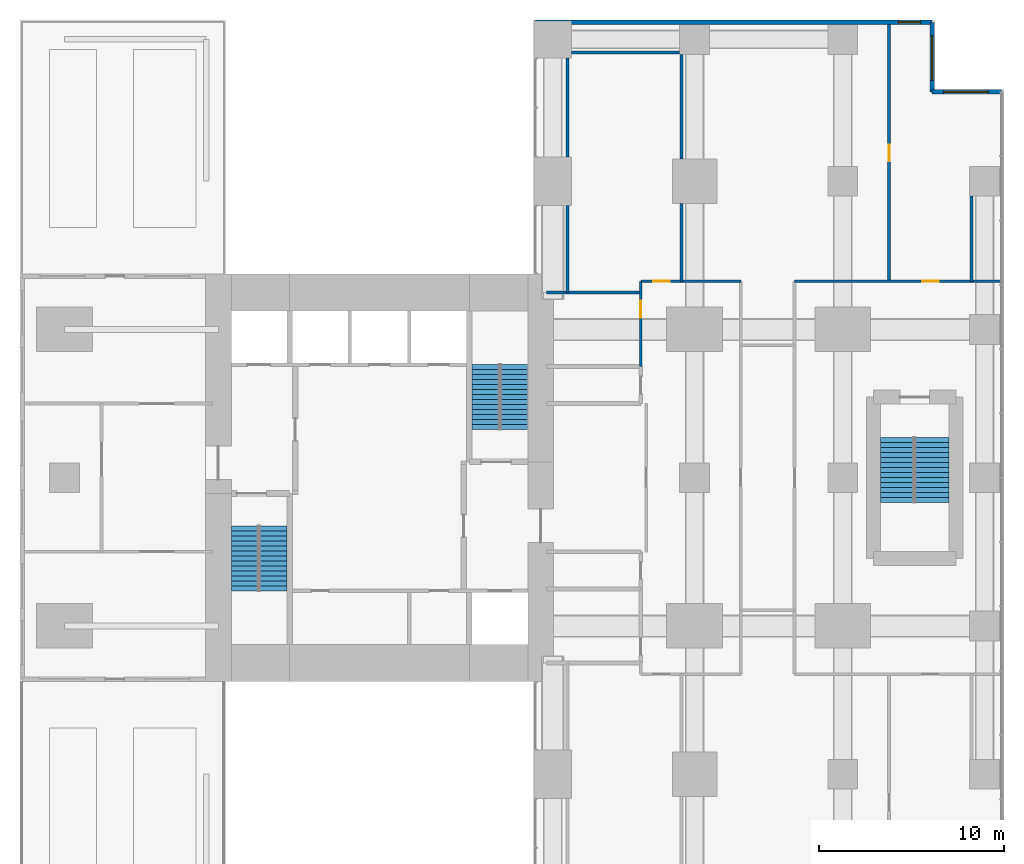
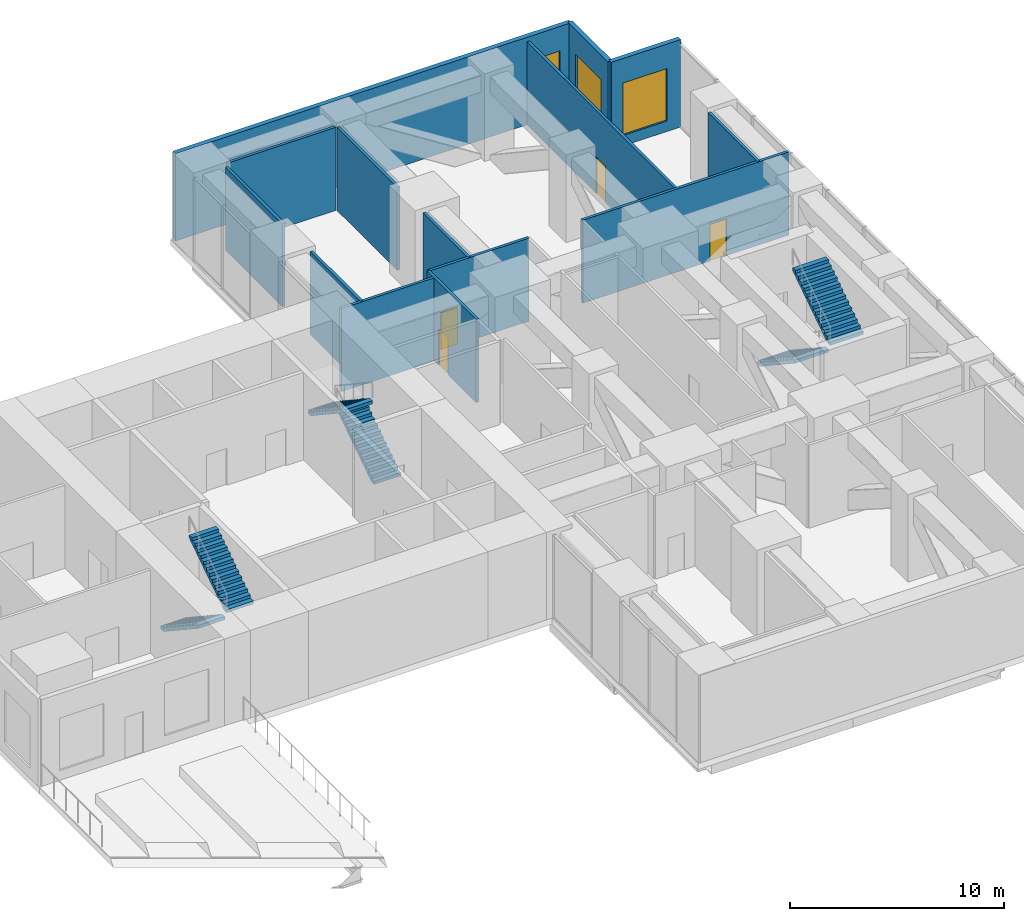
# One storey, part 9 of 10: 14 walls, 6 stair flights, 4 doors, 3 windows, 7 openings, 3 elements without a shape of their own.
"""IFC4 building model written with IfcOpenShell, lengths in metres."""

from ifc_helpers import new_model, si_unit, direction, frame, frame_2d, origin, place, context, subcontext, project, spatial, polyline, rectangle, outline, extrude, material, layer, layer_set, type_object, element, fill, aggregate, save


model = new_model("IFC4")

# Units and contexts
model_context = context("Model", 3, precision=1e-05, world=origin(), true_north=direction((0.0, 1.0)))
body_context = subcontext(model_context, "Body", "Model", "MODEL_VIEW")
ifc_project = project(units=[si_unit("LENGTHUNIT", "METRE"), si_unit("AREAUNIT", "SQUARE_METRE"), si_unit("VOLUMEUNIT", "CUBIC_METRE"), si_unit("PLANEANGLEUNIT", "RADIAN"), si_unit("MASSUNIT", "GRAM", prefix="KILO")], contexts=[model_context])

# Site, building, storey
site_placement = place(None, origin())
site = spatial("IfcSite", under=ifc_project, at=site_placement, CompositionType="ELEMENT")
building_placement = place(site_placement, origin())
building = spatial("IfcBuilding", under=site, at=building_placement, Name="Cleftline Residences", CompositionType="ELEMENT")
storey_placement = place(building_placement, frame((0.0, 0.0, 225.39990234375)))
storey = spatial("IfcBuildingStorey", under=building, at=storey_placement, Name="L59", CompositionType="ELEMENT", Elevation=225.39990234375)

# Wall, opening, window
ifc_material_1 = material(Name="Rendered reinforced concrete blockwork", Category="masonry")
ifc_layer_1 = layer(ifc_material_1, 0.25)
ifc_layer_set_1 = layer_set([ifc_layer_1], Name="EXTERNAL WALL 250")
wall_type_1 = type_object("IfcWallType", Name="EXTERNAL WALL 250", PredefinedType="SOLIDWALL", material=ifc_layer_set_1)
wall_1_placement = place(storey_placement, frame((66.574951171875, 44.824951171875, 0.0), z_axis=(0.0, 0.0, 1.0), x_axis=(-1.0, 0.0, 0.0)))
wall_1 = element("IfcWall", 1, at=wall_1_placement, inside=storey, type_object=wall_type_1, Name="External wall", PredefinedType="SOLIDWALL", context=body_context, shape_type="SweptSolid", body=[
    extrude(rectangle(XDim=3.75, YDim=0.25, at=frame_2d((1.875, 0.0))), origin(), (0.0, 0.0, 1.0), 5.0),
])
opening_1_placement = place(wall_1_placement, frame((0.737548828125, 0.0, 0.60009765625)))
opening_1 = element("IfcOpeningElement", 2, at=opening_1_placement, cuts=wall_1, Name="Opening W3", PredefinedType="OPENING", context=body_context, shape_type="SweptSolid", body=[
    extrude(rectangle(XDim=2.39990234375, YDim=3.0, at=frame_2d((1.199951171875, 1.5))), frame((0.0, 0.135009765625, 0.0), z_axis=(0.0, -1.0, 0.0), x_axis=(1.0, 0.0, 0.0)), (0.0, 0.0, 1.0), 0.27001953125),
])
ifc_material_2 = material(Name="Aluminium frame, clear double glazing", Category="aluminium")
window_type_1 = type_object("IfcWindowType", Name="WINDOW 2400X3000", PartitioningType="DOUBLE_PANEL_VERTICAL", PredefinedType="WINDOW", material=ifc_material_2)
window_1_placement = place(opening_1_placement, origin())
window_1 = element("IfcWindow", 3, at=window_1_placement, inside=storey, type_object=window_type_1, Name="Window", OverallHeight=3.0, OverallWidth=2.39990234375, PartitioningType="SINGLE_PANEL", PredefinedType="WINDOW", context=body_context, shape_type="SweptSolid", body=[
    extrude(rectangle(XDim=2.39990234375, YDim=3.0, at=frame_2d((1.199951171875, 1.5))), frame((0.0, 0.030029296875, 0.0), z_axis=(0.0, -1.0, 0.0), x_axis=(1.0, 0.0, 0.0)), (0.0, 0.0, 1.0), 0.06005859375),
])
fill(opening_1, window_1)

wall_2_placement = place(storey_placement, frame((62.824951171875, 44.824951171875, 0.0), z_axis=(0.0, 0.0, 1.0), x_axis=(0.0, 1.0, 0.0)))
wall_2 = element("IfcWall", 4, at=wall_2_placement, inside=storey, type_object=wall_type_1, Name="External wall", PredefinedType="SOLIDWALL", context=body_context, shape_type="SweptSolid", body=[
    extrude(rectangle(XDim=3.75, YDim=0.25, at=frame_2d((1.875, 0.0))), origin(), (0.0, 0.0, 1.0), 5.0),
])
opening_2_placement = place(wall_2_placement, frame((0.612548828125, 0.0, 0.60009765625)))
opening_2 = element("IfcOpeningElement", 5, at=opening_2_placement, cuts=wall_2, Name="Opening W3", PredefinedType="OPENING", context=body_context, shape_type="SweptSolid", body=[
    extrude(rectangle(XDim=2.39990234375, YDim=3.0, at=frame_2d((1.199951171875, 1.5))), frame((0.0, 0.135009765625, 0.0), z_axis=(0.0, -1.0, 0.0), x_axis=(1.0, 0.0, 0.0)), (0.0, 0.0, 1.0), 0.27001953125),
])
window_2_placement = place(opening_2_placement, origin())
window_2 = element("IfcWindow", 6, at=window_2_placement, inside=storey, type_object=window_type_1, Name="Window", OverallHeight=3.0, OverallWidth=2.39990234375, PartitioningType="SINGLE_PANEL", PredefinedType="WINDOW", context=body_context, shape_type="SweptSolid", body=[
    extrude(rectangle(XDim=2.39990234375, YDim=3.0, at=frame_2d((1.199951171875, 1.5))), frame((0.0, 0.030029296875, 0.0), z_axis=(0.0, -1.0, 0.0), x_axis=(1.0, 0.0, 0.0)), (0.0, 0.0, 1.0), 0.06005859375),
])
fill(opening_2, window_2)

wall_3_placement = place(storey_placement, frame((62.824951171875, 48.574951171875, 0.0), z_axis=(0.0, 0.0, 1.0), x_axis=(-1.0, 0.0, 0.0)))
wall_3 = element("IfcWall", 7, at=wall_3_placement, inside=storey, type_object=wall_type_1, Name="External wall", PredefinedType="SOLIDWALL", context=body_context, shape_type="SweptSolid", body=[
    extrude(rectangle(XDim=21.39990234375, YDim=0.25, at=frame_2d((10.699951171875, 0.0))), origin(), (0.0, 0.0, 1.0), 5.0),
])
opening_3_placement = place(wall_3_placement, frame((0.625, 0.0, 0.60009765625)))
opening_3 = element("IfcOpeningElement", 8, at=opening_3_placement, cuts=wall_3, Name="Opening W5", PredefinedType="OPENING", context=body_context, shape_type="SweptSolid", body=[
    extrude(rectangle(XDim=1.199951171875, YDim=3.0, at=frame_2d((0.60009765625, 1.5))), frame((0.0, 0.135009765625, 0.0), z_axis=(0.0, -1.0, 0.0), x_axis=(1.0, 0.0, 0.0)), (0.0, 0.0, 1.0), 0.27001953125),
])
ifc_material_3 = material(Name="Aluminium frame, clear double glazing", Category="aluminium")
window_type_2 = type_object("IfcWindowType", Name="WINDOW 1200X3000", PartitioningType="DOUBLE_PANEL_VERTICAL", PredefinedType="WINDOW", material=ifc_material_3)
window_3_placement = place(opening_3_placement, origin())
window_3 = element("IfcWindow", 9, at=window_3_placement, inside=storey, type_object=window_type_2, Name="Window", OverallHeight=3.0, OverallWidth=1.199951171875, PartitioningType="SINGLE_PANEL", PredefinedType="WINDOW", context=body_context, shape_type="SweptSolid", body=[
    extrude(rectangle(XDim=1.199951171875, YDim=3.0, at=frame_2d((0.60009765625, 1.5))), frame((0.0, 0.030029296875, 0.0), z_axis=(0.0, -1.0, 0.0), x_axis=(1.0, 0.0, 0.0)), (0.0, 0.0, 1.0), 0.06005859375),
])
fill(opening_3, window_3)

# Wall
ifc_material_4 = material(Name="Gypsum board on steel studs", Category="steel")
ifc_layer_2 = layer(ifc_material_4, 0.14990234375)
ifc_layer_set_2 = layer_set([ifc_layer_2], Name="PARTITION 150")
wall_type_2 = type_object("IfcWallType", Name="PARTITION 150", PredefinedType="PARTITIONING", material=ifc_layer_set_2)
wall_4_placement = place(storey_placement, frame((42.0, 34.0, 0.0), z_axis=(0.0, 0.0, 1.0), x_axis=(1.0, 0.0, 0.0)))
element("IfcWall", 10, at=wall_4_placement, inside=storey, type_object=wall_type_2, Name="Partition", PredefinedType="PARTITIONING", context=body_context, shape_type="SweptSolid", body=[
    extrude(rectangle(XDim=5.10009765625, YDim=0.14990234375, at=frame_2d((2.550048828125, 0.0))), origin(), (0.0, 0.0, 1.0), 4.75),
])

# Wall, opening, door
wall_5_placement = place(storey_placement, frame((47.10009765625, 34.60009765625, 0.0), z_axis=(0.0, 0.0, 1.0), x_axis=(1.0, 0.0, 0.0)))
wall_5 = element("IfcWall", 11, at=wall_5_placement, inside=storey, type_object=wall_type_2, Name="Partition", PredefinedType="PARTITIONING", context=body_context, shape_type="SweptSolid", body=[
    extrude(rectangle(XDim=5.39990234375, YDim=0.14990234375, at=frame_2d((2.699951171875, 0.0))), origin(), (0.0, 0.0, 1.0), 4.75),
])
opening_4_placement = place(wall_5_placement, frame((0.659912109375, 0.0, 0.0)))
opening_4 = element("IfcOpeningElement", 12, at=opening_4_placement, cuts=wall_5, Name="Opening D1", PredefinedType="OPENING", context=body_context, shape_type="SweptSolid", body=[
    extrude(rectangle(XDim=0.89990234375, YDim=2.10009765625, at=frame_2d((0.449951171875, 1.050048828125))), frame((0.0, 0.0849609375, 0.0), z_axis=(0.0, -1.0, 0.0), x_axis=(1.0, 0.0, 0.0)), (0.0, 0.0, 1.0), 0.169921875),
])
ifc_material_5 = material(Name="Timber veneer on solid core", Category="wood")
door_type = type_object("IfcDoorType", Name="DOOR 900X2100", OperationType="SINGLE_SWING_LEFT", PredefinedType="DOOR", material=ifc_material_5)
door_1_placement = place(opening_4_placement, origin())
door_1 = element("IfcDoor", 13, at=door_1_placement, inside=storey, type_object=door_type, Name="Door to sky dining room", OperationType="SINGLE_SWING_RIGHT", OverallHeight=2.10009765625, OverallWidth=0.89990234375, PredefinedType="DOOR", context=body_context, shape_type="SweptSolid", body=[
    extrude(rectangle(XDim=0.89990234375, YDim=2.10009765625, at=frame_2d((0.449951171875, 1.050048828125))), frame((0.0, 0.02490234375, 0.0), z_axis=(0.0, -1.0, 0.0), x_axis=(1.0, 0.0, 0.0)), (0.0, 0.0, 1.0), 0.050048828125),
])
fill(opening_4, door_1)

wall_6_placement = place(storey_placement, frame((55.39990234375, 34.60009765625, 0.0), z_axis=(0.0, 0.0, 1.0), x_axis=(1.0, 0.0, 0.0)))
wall_6 = element("IfcWall", 14, at=wall_6_placement, inside=storey, type_object=wall_type_2, Name="Partition", PredefinedType="PARTITIONING", context=body_context, shape_type="SweptSolid", body=[
    extrude(rectangle(XDim=11.1611328125, YDim=0.14990234375, at=frame_2d((5.58056640625, 0.0))), origin(), (0.0, 0.0, 1.0), 4.75),
])
opening_5_placement = place(wall_6_placement, frame((6.8798828125, 0.0, 0.0)))
opening_5 = element("IfcOpeningElement", 15, at=opening_5_placement, cuts=wall_6, Name="Opening D1", PredefinedType="OPENING", context=body_context, shape_type="SweptSolid", body=[
    extrude(rectangle(XDim=0.89990234375, YDim=2.10009765625, at=frame_2d((0.449951171875, 1.050048828125))), frame((0.0, 0.0849609375, 0.0), z_axis=(0.0, -1.0, 0.0), x_axis=(1.0, 0.0, 0.0)), (0.0, 0.0, 1.0), 0.169921875),
])
door_2_placement = place(opening_5_placement, origin())
door_2 = element("IfcDoor", 16, at=door_2_placement, inside=storey, type_object=door_type, Name="Door to observation lounge", OperationType="SINGLE_SWING_LEFT", OverallHeight=2.10009765625, OverallWidth=0.89990234375, PredefinedType="DOOR", context=body_context, shape_type="SweptSolid", body=[
    extrude(rectangle(XDim=0.89990234375, YDim=2.10009765625, at=frame_2d((0.449951171875, 1.050048828125))), frame((0.0, 0.02490234375, 0.0), z_axis=(0.0, -1.0, 0.0), x_axis=(1.0, 0.0, 0.0)), (0.0, 0.0, 1.0), 0.050048828125),
])
fill(opening_5, door_2)

# Walls
wall_7_placement = place(storey_placement, frame((43.35009765625, 46.949951171875, 0.0), z_axis=(0.0, 0.0, 1.0), x_axis=(1.0, 0.0, 0.0)))
element("IfcWall", 17, at=wall_7_placement, inside=storey, type_object=wall_type_2, Name="Partition", PredefinedType="PARTITIONING", context=body_context, shape_type="SweptSolid", body=[
    extrude(rectangle(XDim=5.849853515625, YDim=0.14990234375, at=frame_2d((2.9248046875, 0.0))), origin(), (0.0, 0.0, 1.0), 4.75),
])
wall_8_placement = place(storey_placement, frame((43.14990234375, 34.0, 0.0), z_axis=(0.0, 0.0, 1.0), x_axis=(0.0, 1.0, 0.0)))
element("IfcWall", 18, at=wall_8_placement, inside=storey, type_object=wall_type_2, Name="Partition", PredefinedType="PARTITIONING", context=body_context, shape_type="SweptSolid", body=[
    extrude(rectangle(XDim=4.699951171875, YDim=0.14990234375, at=frame_2d((2.35009765625, 0.0))), origin(), (0.0, 0.0, 1.0), 4.75),
])
wall_9_placement = place(storey_placement, frame((43.14990234375, 41.300048828125, 0.0), z_axis=(0.0, 0.0, 1.0), x_axis=(0.0, 1.0, 0.0)))
element("IfcWall", 19, at=wall_9_placement, inside=storey, type_object=wall_type_2, Name="Partition", PredefinedType="PARTITIONING", context=body_context, shape_type="SweptSolid", body=[
    extrude(rectangle(XDim=5.349853515625, YDim=0.14990234375, at=frame_2d((2.6748046875, 0.0))), origin(), (0.0, 0.0, 1.0), 4.75),
])

# Wall, opening, door
wall_10_placement = place(storey_placement, frame((47.10009765625, 30.0, 0.0), z_axis=(0.0, 0.0, 1.0), x_axis=(0.0, 1.0, 0.0)))
wall_10 = element("IfcWall", 20, at=wall_10_placement, inside=storey, type_object=wall_type_2, Name="Partition", PredefinedType="PARTITIONING", context=body_context, shape_type="SweptSolid", body=[
    extrude(rectangle(XDim=4.60009765625, YDim=0.14990234375, at=frame_2d((2.300048828125, 0.0))), origin(), (0.0, 0.0, 1.0), 4.75),
])
opening_6_placement = place(wall_10_placement, frame((2.639892578125, 0.0, 0.0)))
opening_6 = element("IfcOpeningElement", 21, at=opening_6_placement, cuts=wall_10, Name="Opening D1", PredefinedType="OPENING", context=body_context, shape_type="SweptSolid", body=[
    extrude(rectangle(XDim=0.89990234375, YDim=2.10009765625, at=frame_2d((0.449951171875, 1.050048828125))), frame((0.0, 0.0849609375, 0.0), z_axis=(0.0, -1.0, 0.0), x_axis=(1.0, 0.0, 0.0)), (0.0, 0.0, 1.0), 0.169921875),
])
door_3_placement = place(opening_6_placement, origin())
door_3 = element("IfcDoor", 22, at=door_3_placement, inside=storey, type_object=door_type, Name="Door to cleaner's store", OperationType="SINGLE_SWING_LEFT", OverallHeight=2.10009765625, OverallWidth=0.89990234375, PredefinedType="DOOR", context=body_context, shape_type="SweptSolid", body=[
    extrude(rectangle(XDim=0.89990234375, YDim=2.10009765625, at=frame_2d((0.449951171875, 1.050048828125))), frame((0.0, 0.02490234375, 0.0), z_axis=(0.0, -1.0, 0.0), x_axis=(1.0, 0.0, 0.0)), (0.0, 0.0, 1.0), 0.050048828125),
])
fill(opening_6, door_3)

# Walls
wall_11_placement = place(storey_placement, frame((49.300048828125, 34.60009765625, 0.0), z_axis=(0.0, 0.0, 1.0), x_axis=(0.0, 1.0, 0.0)))
element("IfcWall", 23, at=wall_11_placement, inside=storey, type_object=wall_type_2, Name="Partition", PredefinedType="PARTITIONING", context=body_context, shape_type="SweptSolid", body=[
    extrude(rectangle(XDim=4.199951171875, YDim=0.14990234375, at=frame_2d((2.10009765625, 0.0))), origin(), (0.0, 0.0, 1.0), 4.75),
])
wall_12_placement = place(storey_placement, frame((49.300048828125, 41.199951171875, 0.0), z_axis=(0.0, 0.0, 1.0), x_axis=(0.0, 1.0, 0.0)))
element("IfcWall", 24, at=wall_12_placement, inside=storey, type_object=wall_type_2, Name="Partition", PredefinedType="PARTITIONING", context=body_context, shape_type="SweptSolid", body=[
    extrude(rectangle(XDim=5.650146484375, YDim=0.14990234375, at=frame_2d((2.8251953125, 0.0))), origin(), (0.0, 0.0, 1.0), 4.75),
])

# Wall, opening, door
wall_13_placement = place(storey_placement, frame((60.5, 34.60009765625, 0.0), z_axis=(0.0, 0.0, 1.0), x_axis=(0.0, 1.0, 0.0)))
wall_13 = element("IfcWall", 25, at=wall_13_placement, inside=storey, type_object=wall_type_2, Name="Partition", PredefinedType="PARTITIONING", context=body_context, shape_type="SweptSolid", body=[
    extrude(rectangle(XDim=13.849853515625, YDim=0.14990234375, at=frame_2d((6.9248046875, 0.0))), origin(), (0.0, 0.0, 1.0), 4.75),
])
opening_7_placement = place(wall_13_placement, frame((6.47998046875, 0.0, 0.0)))
opening_7 = element("IfcOpeningElement", 26, at=opening_7_placement, cuts=wall_13, Name="Opening D1", PredefinedType="OPENING", context=body_context, shape_type="SweptSolid", body=[
    extrude(rectangle(XDim=0.89990234375, YDim=2.10009765625, at=frame_2d((0.449951171875, 1.050048828125))), frame((0.0, 0.0849609375, 0.0), z_axis=(0.0, -1.0, 0.0), x_axis=(1.0, 0.0, 0.0)), (0.0, 0.0, 1.0), 0.169921875),
])
door_4_placement = place(opening_7_placement, origin())
door_4 = element("IfcDoor", 27, at=door_4_placement, inside=storey, type_object=door_type, Name="Door to garden furniture store", OperationType="SINGLE_SWING_LEFT", OverallHeight=2.10009765625, OverallWidth=0.89990234375, PredefinedType="DOOR", context=body_context, shape_type="SweptSolid", body=[
    extrude(rectangle(XDim=0.89990234375, YDim=2.10009765625, at=frame_2d((0.449951171875, 1.050048828125))), frame((0.0, 0.02490234375, 0.0), z_axis=(0.0, -1.0, 0.0), x_axis=(1.0, 0.0, 0.0)), (0.0, 0.0, 1.0), 0.050048828125),
])
fill(opening_7, door_4)

# Wall
wall_14_placement = place(storey_placement, frame((64.949951171875, 34.60009765625, 0.0), z_axis=(0.0, 0.0, 1.0), x_axis=(0.0, 1.0, 0.0)))
element("IfcWall", 28, at=wall_14_placement, inside=storey, type_object=wall_type_2, Name="Partition", PredefinedType="PARTITIONING", context=body_context, shape_type="SweptSolid", body=[
    extrude(rectangle(XDim=4.599853515625, YDim=0.14990234375, at=frame_2d((2.2998046875, 0.0))), origin(), (0.0, 0.0, 1.0), 4.75),
])

# Stair, stair flights
ifc_material_6 = material(Name="Concrete B45, stone treads", Category="masonry")
stair_type_1 = type_object("IfcStairType", Name="STAIR A 1450 WIDE 179 RISER", PredefinedType="HALF_TURN_STAIR", material=ifc_material_6)
stair_1_placement = place(storey_placement, origin())
stair_1 = element("IfcStair", 29, at=stair_1_placement, inside=storey, type_object=stair_type_1, Name="Stair A L59", PredefinedType="HALF_TURN_STAIR")
ifc_material_7 = material(Name="Concrete B45", Category="concrete")
stair_flight_type_1 = type_object("IfcStairFlightType", Name="STAIR A FLIGHT 1450X179", PredefinedType="STRAIGHT", material=ifc_material_7)
stair_flight_1_placement = place(storey_placement, frame((25.72509765625, 21.39990234375, 0.0), z_axis=(0.0, 0.0, 1.0), x_axis=(0.0, -1.0, 0.0)))
stair_flight_1 = element("IfcStairFlight", 30, at=stair_flight_1_placement, type_object=stair_flight_type_1, Name="ST-A flight 1", NumberOfRisers=14, NumberOfTreads=13, PredefinedType="STRAIGHT", RiserHeight=0.178571429, TreadLength=0.27, context=body_context, shape_type="SweptSolid", body=[
    extrude(outline(polyline([(0.0, 0.0), (0.0, 0.013671875), (0.0, 0.027587890625), (0.0, 0.041259765625), (0.0, 0.054931640625), (0.0, 0.068603515625), (0.0, 0.08251953125), (0.0, 0.09619140625), (0.0, 0.10986328125), (0.0, 0.12353515625), (0.0, 0.137451171875), (0.0, 0.151123046875), (0.0, 0.164794921875), (0.0, 0.178466796875), (0.27001953125, 0.178466796875), (0.27001953125, 0.357177734375), (0.5400390625, 0.357177734375), (0.5400390625, 0.53564453125), (0.81005859375, 0.53564453125), (0.81005859375, 0.71435546875), (1.080078125, 0.71435546875), (1.080078125, 0.892822265625), (1.35009765625, 0.892822265625), (1.35009765625, 1.071533203125), (1.6201171875, 1.071533203125), (1.6201171875, 1.25), (1.889892578125, 1.25), (1.889892578125, 1.428466796875), (2.159912109375, 1.428466796875), (2.159912109375, 1.607177734375), (2.429931640625, 1.607177734375), (2.429931640625, 1.78564453125), (2.699951171875, 1.78564453125), (2.699951171875, 1.96435546875), (2.969970703125, 1.96435546875), (2.969970703125, 2.142822265625), (3.239990234375, 2.142822265625), (3.239990234375, 2.321533203125), (3.510009765625, 2.321533203125), (3.510009765625, 2.5), (3.510009765625, 2.472412109375), (3.510009765625, 2.44482421875), (3.510009765625, 2.417236328125), (3.510009765625, 2.3896484375), (3.510009765625, 2.3623046875), (3.510009765625, 2.334716796875), (3.510009765625, 2.30712890625), (3.510009765625, 2.279541015625), (3.510009765625, 2.251953125), (3.510009765625, 2.224365234375), (3.510009765625, 2.19677734375), (3.510009765625, 2.169189453125), (3.510009765625, 2.1416015625), (0.271728515625, 0.0), (0.0, 0.0)])), frame((0.0, 0.72509765625, 0.0), z_axis=(0.0, -1.0, 0.0), x_axis=(1.0, 0.0, 0.0)), (0.0, 0.0, 1.0), 1.449951171875),
])
stair_flight_2_placement = place(storey_placement, frame((27.27490234375, 17.889892578125, 2.5), z_axis=(0.0, 0.0, 1.0), x_axis=(0.0, 1.0, 0.0)))
stair_flight_2 = element("IfcStairFlight", 31, at=stair_flight_2_placement, type_object=stair_flight_type_1, Name="ST-A flight 2", NumberOfRisers=14, NumberOfTreads=13, PredefinedType="STRAIGHT", RiserHeight=0.178571429, TreadLength=0.27, context=body_context, shape_type="SweptSolid", body=[
    extrude(outline(polyline([(0.0, 0.0), (0.0, 0.013671875), (0.0, 0.027587890625), (0.0, 0.041259765625), (0.0, 0.054931640625), (0.0, 0.068603515625), (0.0, 0.08251953125), (0.0, 0.09619140625), (0.0, 0.10986328125), (0.0, 0.12353515625), (0.0, 0.137451171875), (0.0, 0.151123046875), (0.0, 0.164794921875), (0.0, 0.178466796875), (0.27001953125, 0.178466796875), (0.27001953125, 0.357177734375), (0.5400390625, 0.357177734375), (0.5400390625, 0.53564453125), (0.81005859375, 0.53564453125), (0.81005859375, 0.71435546875), (1.080078125, 0.71435546875), (1.080078125, 0.892822265625), (1.35009765625, 0.892822265625), (1.35009765625, 1.071533203125), (1.6201171875, 1.071533203125), (1.6201171875, 1.25), (1.889892578125, 1.25), (1.889892578125, 1.428466796875), (2.159912109375, 1.428466796875), (2.159912109375, 1.607177734375), (2.429931640625, 1.607177734375), (2.429931640625, 1.78564453125), (2.699951171875, 1.78564453125), (2.699951171875, 1.96435546875), (2.969970703125, 1.96435546875), (2.969970703125, 2.142822265625), (3.239990234375, 2.142822265625), (3.239990234375, 2.321533203125), (3.510009765625, 2.321533203125), (3.510009765625, 2.5), (3.510009765625, 2.472412109375), (3.510009765625, 2.44482421875), (3.510009765625, 2.417236328125), (3.510009765625, 2.3896484375), (3.510009765625, 2.3623046875), (3.510009765625, 2.334716796875), (3.510009765625, 2.30712890625), (3.510009765625, 2.279541015625), (3.510009765625, 2.251953125), (3.510009765625, 2.224365234375), (3.510009765625, 2.19677734375), (3.510009765625, 2.169189453125), (3.510009765625, 2.1416015625), (0.271728515625, 0.0), (0.0, 0.0)])), frame((0.0, 0.72509765625, 0.0), z_axis=(0.0, -1.0, 0.0), x_axis=(1.0, 0.0, 0.0)), (0.0, 0.0, 1.0), 1.449951171875),
])
aggregate(stair_1, [stair_flight_1, stair_flight_2])

ifc_material_8 = material(Name="Concrete B45, stone treads", Category="masonry")
stair_type_2 = type_object("IfcStairType", Name="STAIR B 1450 WIDE 179 RISER", PredefinedType="HALF_TURN_STAIR", material=ifc_material_8)
stair_2_placement = place(storey_placement, origin())
stair_2 = element("IfcStair", 32, at=stair_2_placement, inside=storey, type_object=stair_type_2, Name="Stair B L59", PredefinedType="HALF_TURN_STAIR")
ifc_material_9 = material(Name="Concrete B45", Category="concrete")
stair_flight_type_2 = type_object("IfcStairFlightType", Name="STAIR B FLIGHT 1450X179", PredefinedType="STRAIGHT", material=ifc_material_9)
stair_flight_3_placement = place(storey_placement, frame((40.27490234375, 26.60009765625, 0.0), z_axis=(0.0, 0.0, 1.0), x_axis=(0.0, 1.0, 0.0)))
stair_flight_3 = element("IfcStairFlight", 33, at=stair_flight_3_placement, type_object=stair_flight_type_2, Name="ST-B flight 1", NumberOfRisers=14, NumberOfTreads=13, PredefinedType="STRAIGHT", RiserHeight=0.178571429, TreadLength=0.27, context=body_context, shape_type="SweptSolid", body=[
    extrude(outline(polyline([(0.0, 0.0), (0.0, 0.013671875), (0.0, 0.027587890625), (0.0, 0.041259765625), (0.0, 0.054931640625), (0.0, 0.068603515625), (0.0, 0.08251953125), (0.0, 0.09619140625), (0.0, 0.10986328125), (0.0, 0.12353515625), (0.0, 0.137451171875), (0.0, 0.151123046875), (0.0, 0.164794921875), (0.0, 0.178466796875), (0.27001953125, 0.178466796875), (0.27001953125, 0.357177734375), (0.5400390625, 0.357177734375), (0.5400390625, 0.53564453125), (0.81005859375, 0.53564453125), (0.81005859375, 0.71435546875), (1.080078125, 0.71435546875), (1.080078125, 0.892822265625), (1.35009765625, 0.892822265625), (1.35009765625, 1.071533203125), (1.6201171875, 1.071533203125), (1.6201171875, 1.25), (1.889892578125, 1.25), (1.889892578125, 1.428466796875), (2.159912109375, 1.428466796875), (2.159912109375, 1.607177734375), (2.429931640625, 1.607177734375), (2.429931640625, 1.78564453125), (2.699951171875, 1.78564453125), (2.699951171875, 1.96435546875), (2.969970703125, 1.96435546875), (2.969970703125, 2.142822265625), (3.239990234375, 2.142822265625), (3.239990234375, 2.321533203125), (3.510009765625, 2.321533203125), (3.510009765625, 2.5), (3.510009765625, 2.472412109375), (3.510009765625, 2.44482421875), (3.510009765625, 2.417236328125), (3.510009765625, 2.3896484375), (3.510009765625, 2.3623046875), (3.510009765625, 2.334716796875), (3.510009765625, 2.30712890625), (3.510009765625, 2.279541015625), (3.510009765625, 2.251953125), (3.510009765625, 2.224365234375), (3.510009765625, 2.19677734375), (3.510009765625, 2.169189453125), (3.510009765625, 2.1416015625), (0.271728515625, 0.0), (0.0, 0.0)])), frame((0.0, 0.72509765625, 0.0), z_axis=(0.0, -1.0, 0.0), x_axis=(1.0, 0.0, 0.0)), (0.0, 0.0, 1.0), 1.449951171875),
])
stair_flight_4_placement = place(storey_placement, frame((38.72509765625, 30.110107421875, 2.5), z_axis=(0.0, 0.0, 1.0), x_axis=(0.0, -1.0, 0.0)))
stair_flight_4 = element("IfcStairFlight", 34, at=stair_flight_4_placement, type_object=stair_flight_type_2, Name="ST-B flight 2", NumberOfRisers=14, NumberOfTreads=13, PredefinedType="STRAIGHT", RiserHeight=0.178571429, TreadLength=0.27, context=body_context, shape_type="SweptSolid", body=[
    extrude(outline(polyline([(0.0, 0.0), (0.0, 0.013671875), (0.0, 0.027587890625), (0.0, 0.041259765625), (0.0, 0.054931640625), (0.0, 0.068603515625), (0.0, 0.08251953125), (0.0, 0.09619140625), (0.0, 0.10986328125), (0.0, 0.12353515625), (0.0, 0.137451171875), (0.0, 0.151123046875), (0.0, 0.164794921875), (0.0, 0.178466796875), (0.27001953125, 0.178466796875), (0.27001953125, 0.357177734375), (0.5400390625, 0.357177734375), (0.5400390625, 0.53564453125), (0.81005859375, 0.53564453125), (0.81005859375, 0.71435546875), (1.080078125, 0.71435546875), (1.080078125, 0.892822265625), (1.35009765625, 0.892822265625), (1.35009765625, 1.071533203125), (1.6201171875, 1.071533203125), (1.6201171875, 1.25), (1.889892578125, 1.25), (1.889892578125, 1.428466796875), (2.159912109375, 1.428466796875), (2.159912109375, 1.607177734375), (2.429931640625, 1.607177734375), (2.429931640625, 1.78564453125), (2.699951171875, 1.78564453125), (2.699951171875, 1.96435546875), (2.969970703125, 1.96435546875), (2.969970703125, 2.142822265625), (3.239990234375, 2.142822265625), (3.239990234375, 2.321533203125), (3.510009765625, 2.321533203125), (3.510009765625, 2.5), (3.510009765625, 2.472412109375), (3.510009765625, 2.44482421875), (3.510009765625, 2.417236328125), (3.510009765625, 2.3896484375), (3.510009765625, 2.3623046875), (3.510009765625, 2.334716796875), (3.510009765625, 2.30712890625), (3.510009765625, 2.279541015625), (3.510009765625, 2.251953125), (3.510009765625, 2.224365234375), (3.510009765625, 2.19677734375), (3.510009765625, 2.169189453125), (3.510009765625, 2.1416015625), (0.271728515625, 0.0), (0.0, 0.0)])), frame((0.0, 0.72509765625, 0.0), z_axis=(0.0, -1.0, 0.0), x_axis=(1.0, 0.0, 0.0)), (0.0, 0.0, 1.0), 1.449951171875),
])
aggregate(stair_2, [stair_flight_3, stair_flight_4])

ifc_material_10 = material(Name="Concrete B45, stone treads", Category="masonry")
stair_type_3 = type_object("IfcStairType", Name="STAIR E 1800 WIDE 179 RISER", PredefinedType="HALF_TURN_STAIR", material=ifc_material_10)
stair_3_placement = place(storey_placement, origin())
stair_3 = element("IfcStair", 35, at=stair_3_placement, inside=storey, type_object=stair_type_3, Name="Stair E L59", PredefinedType="HALF_TURN_STAIR")
ifc_material_11 = material(Name="Concrete B45", Category="concrete")
stair_flight_type_3 = type_object("IfcStairFlightType", Name="STAIR E FLIGHT 1800X179", PredefinedType="STRAIGHT", material=ifc_material_11)
stair_flight_5_placement = place(storey_placement, frame((60.925048828125, 26.175048828125, 0.0), z_axis=(0.0, 0.0, 1.0), x_axis=(0.0, -1.0, 0.0)))
stair_flight_5 = element("IfcStairFlight", 36, at=stair_flight_5_placement, type_object=stair_flight_type_3, Name="ST-E flight 1", NumberOfRisers=14, NumberOfTreads=13, PredefinedType="STRAIGHT", RiserHeight=0.178571429, TreadLength=0.27, context=body_context, shape_type="SweptSolid", body=[
    extrude(outline(polyline([(0.0, 0.0), (0.0, 0.013671875), (0.0, 0.027587890625), (0.0, 0.041259765625), (0.0, 0.054931640625), (0.0, 0.068603515625), (0.0, 0.08251953125), (0.0, 0.09619140625), (0.0, 0.10986328125), (0.0, 0.12353515625), (0.0, 0.137451171875), (0.0, 0.151123046875), (0.0, 0.164794921875), (0.0, 0.178466796875), (0.27001953125, 0.178466796875), (0.27001953125, 0.357177734375), (0.5400390625, 0.357177734375), (0.5400390625, 0.53564453125), (0.81005859375, 0.53564453125), (0.81005859375, 0.71435546875), (1.080078125, 0.71435546875), (1.080078125, 0.892822265625), (1.35009765625, 0.892822265625), (1.35009765625, 1.071533203125), (1.6201171875, 1.071533203125), (1.6201171875, 1.25), (1.889892578125, 1.25), (1.889892578125, 1.428466796875), (2.159912109375, 1.428466796875), (2.159912109375, 1.607177734375), (2.429931640625, 1.607177734375), (2.429931640625, 1.78564453125), (2.699951171875, 1.78564453125), (2.699951171875, 1.96435546875), (2.969970703125, 1.96435546875), (2.969970703125, 2.142822265625), (3.239990234375, 2.142822265625), (3.239990234375, 2.321533203125), (3.510009765625, 2.321533203125), (3.510009765625, 2.5), (3.510009765625, 2.472412109375), (3.510009765625, 2.44482421875), (3.510009765625, 2.417236328125), (3.510009765625, 2.3896484375), (3.510009765625, 2.3623046875), (3.510009765625, 2.334716796875), (3.510009765625, 2.30712890625), (3.510009765625, 2.279541015625), (3.510009765625, 2.251953125), (3.510009765625, 2.224365234375), (3.510009765625, 2.19677734375), (3.510009765625, 2.169189453125), (3.510009765625, 2.1416015625), (0.271728515625, 0.0), (0.0, 0.0)])), frame((0.0, 0.89990234375, 0.0), z_axis=(0.0, -1.0, 0.0), x_axis=(1.0, 0.0, 0.0)), (0.0, 0.0, 1.0), 1.800048828125),
])
stair_flight_6_placement = place(storey_placement, frame((62.824951171875, 22.6650390625, 2.5), z_axis=(0.0, 0.0, 1.0), x_axis=(0.0, 1.0, 0.0)))
stair_flight_6 = element("IfcStairFlight", 37, at=stair_flight_6_placement, type_object=stair_flight_type_3, Name="ST-E flight 2", NumberOfRisers=14, NumberOfTreads=13, PredefinedType="STRAIGHT", RiserHeight=0.178571429, TreadLength=0.27, context=body_context, shape_type="SweptSolid", body=[
    extrude(outline(polyline([(0.0, 0.0), (0.0, 0.013671875), (0.0, 0.027587890625), (0.0, 0.041259765625), (0.0, 0.054931640625), (0.0, 0.068603515625), (0.0, 0.08251953125), (0.0, 0.09619140625), (0.0, 0.10986328125), (0.0, 0.12353515625), (0.0, 0.137451171875), (0.0, 0.151123046875), (0.0, 0.164794921875), (0.0, 0.178466796875), (0.27001953125, 0.178466796875), (0.27001953125, 0.357177734375), (0.5400390625, 0.357177734375), (0.5400390625, 0.53564453125), (0.81005859375, 0.53564453125), (0.81005859375, 0.71435546875), (1.080078125, 0.71435546875), (1.080078125, 0.892822265625), (1.35009765625, 0.892822265625), (1.35009765625, 1.071533203125), (1.6201171875, 1.071533203125), (1.6201171875, 1.25), (1.889892578125, 1.25), (1.889892578125, 1.428466796875), (2.159912109375, 1.428466796875), (2.159912109375, 1.607177734375), (2.429931640625, 1.607177734375), (2.429931640625, 1.78564453125), (2.699951171875, 1.78564453125), (2.699951171875, 1.96435546875), (2.969970703125, 1.96435546875), (2.969970703125, 2.142822265625), (3.239990234375, 2.142822265625), (3.239990234375, 2.321533203125), (3.510009765625, 2.321533203125), (3.510009765625, 2.5), (3.510009765625, 2.472412109375), (3.510009765625, 2.44482421875), (3.510009765625, 2.417236328125), (3.510009765625, 2.3896484375), (3.510009765625, 2.3623046875), (3.510009765625, 2.334716796875), (3.510009765625, 2.30712890625), (3.510009765625, 2.279541015625), (3.510009765625, 2.251953125), (3.510009765625, 2.224365234375), (3.510009765625, 2.19677734375), (3.510009765625, 2.169189453125), (3.510009765625, 2.1416015625), (0.271728515625, 0.0), (0.0, 0.0)])), frame((0.0, 0.89990234375, 0.0), z_axis=(0.0, -1.0, 0.0), x_axis=(1.0, 0.0, 0.0)), (0.0, 0.0, 1.0), 1.800048828125),
])
aggregate(stair_3, [stair_flight_5, stair_flight_6])

save(model, "model.ifc")
